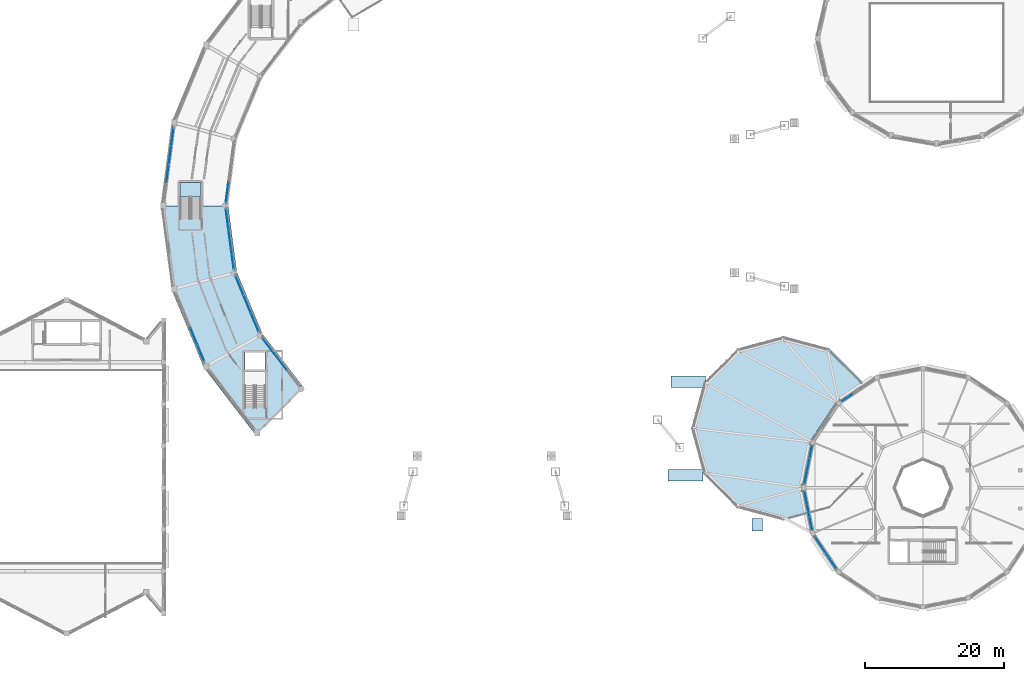
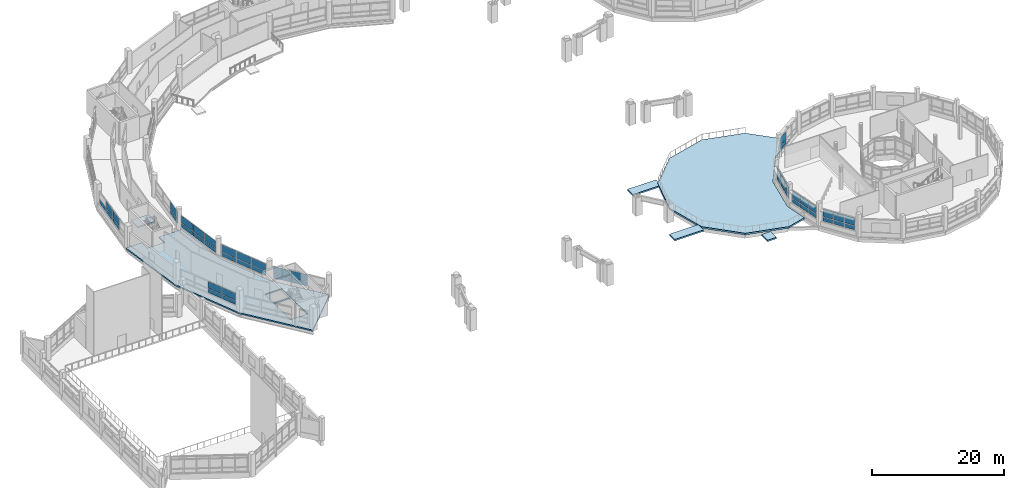
# One storey, part 102 of 128: 47 plates, 6 slabs, 11 elements without a shape of their own.
"""IFC4 building model written with IfcOpenShell, lengths in metres."""

from ifc_helpers import new_model, si_unit, direction, frame, origin, origin_2d, place, context, subcontext, project, spatial, polyline, rectangle, outline, extrude, material, layer, layer_set, type_object, element, aggregate, save


model = new_model("IFC4")

# Units and contexts
model_context = context("Model", 3, precision=1e-05, world=origin(), true_north=direction((0.0, 1.0)))
body_context = subcontext(model_context, "Body", "Model", "MODEL_VIEW")
ifc_project = project(units=[si_unit("LENGTHUNIT", "METRE"), si_unit("AREAUNIT", "SQUARE_METRE"), si_unit("VOLUMEUNIT", "CUBIC_METRE"), si_unit("PLANEANGLEUNIT", "RADIAN"), si_unit("MASSUNIT", "GRAM", prefix="KILO")], contexts=[model_context])

# Site, building, storey
site_placement = place(None, origin())
site = spatial("IfcSite", under=ifc_project, at=site_placement, CompositionType="ELEMENT")
building_placement = place(site_placement, origin())
building = spatial("IfcBuilding", under=site, at=building_placement, Name="Vespera Passage Community Centre", CompositionType="ELEMENT")
storey_placement = place(building_placement, frame((0.0, 0.0, 4.5)))
storey = spatial("IfcBuildingStorey", under=building, at=storey_placement, Name="L01", CompositionType="ELEMENT", Elevation=4.5)

# Curtain wall, plates
ifc_material_1 = material(Name="Anodized aluminium 6063-T6", Category="aluminium")
ifc_layer_1 = layer(ifc_material_1, 0.159912109375)
ifc_layer_set_1 = layer_set([ifc_layer_1], Name="Anodized aluminium 6063-T6")
curtain_wall_type_1 = type_object("IfcCurtainWallType", Name="CW-22E", PredefinedType="NOTDEFINED", material=ifc_layer_set_1)
curtain_wall_1_placement = place(storey_placement, origin())
curtain_wall_1 = element("IfcCurtainWall", 1, at=curtain_wall_1_placement, inside=storey, type_object=curtain_wall_type_1, Name="V4 L01 Inner Court Curtain Wall 12", PredefinedType="NOTDEFINED")
ifc_material_2 = material(Name="Low-E insulated vision glass", Category="glass")
ifc_layer_2 = layer(ifc_material_2, 0.02001953125)
ifc_layer_set_2 = layer_set([ifc_layer_2], Name="Low-E insulated vision glass")
plate_type_1 = type_object("IfcPlateType", Name="PL-CWP-20E", PredefinedType="CURTAIN_PANEL", material=ifc_layer_set_2)
plate_1_placement = place(storey_placement, frame((41.058837890625, 63.53466796875, 0.919921875), z_axis=(0.0, 0.0, 1.0), x_axis=(0.1305221941, -0.991445387728, 0.0)))
plate_1 = element("IfcPlate", 2, at=plate_1_placement, type_object=plate_type_1, Name="CW-22E panel 1.1", PredefinedType="CURTAIN_PANEL", context=body_context, shape_type="SweptSolid", body=[
    extrude(rectangle(XDim=2.779541015625, YDim=0.02001953125, at=origin_2d()), origin(), (0.0, 0.0, 1.0), 0.699951171875),
])
plate_2_placement = place(storey_placement, frame((41.058837890625, 63.53466796875, 1.719970703125), z_axis=(0.0, 0.0, 1.0), x_axis=(0.1305221941, -0.991445387728, 0.0)))
plate_2 = element("IfcPlate", 3, at=plate_2_placement, type_object=plate_type_1, Name="CW-22E panel 1.2", PredefinedType="CURTAIN_PANEL", context=body_context, shape_type="SweptSolid", body=[
    extrude(rectangle(XDim=2.779541015625, YDim=0.02001953125, at=origin_2d()), origin(), (0.0, 0.0, 1.0), 1.3095703125),
])
plate_3_placement = place(storey_placement, frame((41.433837890625, 60.68603515625, 0.919921875), z_axis=(0.0, 0.0, 1.0), x_axis=(0.1305221941, -0.991445387728, 0.0)))
plate_3 = element("IfcPlate", 4, at=plate_3_placement, type_object=plate_type_1, Name="CW-22E panel 2.1", PredefinedType="CURTAIN_PANEL", context=body_context, shape_type="SweptSolid", body=[
    extrude(rectangle(XDim=2.81689453125, YDim=0.02001953125, at=origin_2d()), origin(), (0.0, 0.0, 1.0), 0.699951171875),
])
plate_4_placement = place(storey_placement, frame((41.433837890625, 60.68603515625, 1.719970703125), z_axis=(0.0, 0.0, 1.0), x_axis=(0.1305221941, -0.991445387728, 0.0)))
plate_4 = element("IfcPlate", 5, at=plate_4_placement, type_object=plate_type_1, Name="CW-22E panel 2.2", PredefinedType="CURTAIN_PANEL", context=body_context, shape_type="SweptSolid", body=[
    extrude(rectangle(XDim=2.81689453125, YDim=0.02001953125, at=origin_2d()), origin(), (0.0, 0.0, 1.0), 1.3095703125),
])
plate_5_placement = place(storey_placement, frame((41.808837890625, 57.83740234375, 0.919921875), z_axis=(0.0, 0.0, 1.0), x_axis=(0.1305221941, -0.991445387728, 0.0)))
plate_5 = element("IfcPlate", 6, at=plate_5_placement, type_object=plate_type_1, Name="CW-22E panel 3.1", PredefinedType="CURTAIN_PANEL", context=body_context, shape_type="SweptSolid", body=[
    extrude(rectangle(XDim=2.779541015625, YDim=0.02001953125, at=origin_2d()), origin(), (0.0, 0.0, 1.0), 0.699951171875),
])
plate_6_placement = place(storey_placement, frame((41.808837890625, 57.83740234375, 1.719970703125), z_axis=(0.0, 0.0, 1.0), x_axis=(0.1305221941, -0.991445387728, 0.0)))
plate_6 = element("IfcPlate", 7, at=plate_6_placement, type_object=plate_type_1, Name="CW-22E panel 3.2", PredefinedType="CURTAIN_PANEL", context=body_context, shape_type="SweptSolid", body=[
    extrude(rectangle(XDim=2.779541015625, YDim=0.02001953125, at=origin_2d()), origin(), (0.0, 0.0, 1.0), 1.3095703125),
])
aggregate(curtain_wall_1, [plate_1, plate_2, plate_3, plate_4, plate_5, plate_6])

ifc_material_3 = material(Name="Anodized aluminium 6063-T6", Category="aluminium")
ifc_layer_3 = layer(ifc_material_3, 0.159912109375)
ifc_layer_set_3 = layer_set([ifc_layer_3], Name="Anodized aluminium 6063-T6")
curtain_wall_type_2 = type_object("IfcCurtainWallType", Name="CW-106E", PredefinedType="NOTDEFINED", material=ifc_layer_set_3)
curtain_wall_2_placement = place(storey_placement, origin())
curtain_wall_2 = element("IfcCurtainWall", 8, at=curtain_wall_2_placement, inside=storey, type_object=curtain_wall_type_2, Name="Dining Drum Ribbon Curtain Wall L01.6", PredefinedType="NOTDEFINED")
plate_7_placement = place(storey_placement, frame((130.157470703125, 37.926025390625, 0.89990234375), z_axis=(0.0, 0.0, 1.0), x_axis=(0.831473308708, 0.555564700918, 0.0)))
plate_7 = element("IfcPlate", 9, at=plate_7_placement, type_object=plate_type_1, Name="CW-106E panel 1.1", PredefinedType="CURTAIN_PANEL", context=body_context, shape_type="SweptSolid", body=[
    extrude(rectangle(XDim=1.752685546875, YDim=0.02001953125, at=origin_2d()), origin(), (0.0, 0.0, 1.0), 0.699951171875),
])
plate_8_placement = place(storey_placement, frame((130.157470703125, 37.926025390625, 1.699951171875), z_axis=(0.0, 0.0, 1.0), x_axis=(0.831473308708, 0.555564700918, 0.0)))
plate_8 = element("IfcPlate", 10, at=plate_8_placement, type_object=plate_type_1, Name="CW-106E panel 1.2", PredefinedType="CURTAIN_PANEL", context=body_context, shape_type="SweptSolid", body=[
    extrude(rectangle(XDim=1.752685546875, YDim=0.02001953125, at=origin_2d()), origin(), (0.0, 0.0, 1.0), 1.375),
])
aggregate(curtain_wall_2, [plate_7, plate_8])

ifc_material_4 = material(Name="Anodized aluminium 6063-T6", Category="aluminium")
ifc_layer_4 = layer(ifc_material_4, 0.159912109375)
ifc_layer_set_4 = layer_set([ifc_layer_4], Name="Anodized aluminium 6063-T6")
curtain_wall_type_3 = type_object("IfcCurtainWallType", Name="CW-105E", PredefinedType="NOTDEFINED", material=ifc_layer_set_4)
curtain_wall_3_placement = place(storey_placement, origin())
curtain_wall_3 = element("IfcCurtainWall", 11, at=curtain_wall_3_placement, inside=storey, type_object=curtain_wall_type_3, Name="Dining Drum Ribbon Curtain Wall L01.8", PredefinedType="NOTDEFINED")
plate_9_placement = place(storey_placement, frame((124.18603515625, 26.4375, 0.89990234375), z_axis=(0.0, 0.0, 1.0), x_axis=(0.195096778691, 0.980783996069, 0.0)))
plate_9 = element("IfcPlate", 12, at=plate_9_placement, type_object=plate_type_1, Name="CW-105E panel 1.1", PredefinedType="CURTAIN_PANEL", context=body_context, shape_type="SweptSolid", body=[
    extrude(rectangle(XDim=1.789306640625, YDim=0.02001953125, at=origin_2d()), origin(), (0.0, 0.0, 1.0), 0.699951171875),
])
plate_10_placement = place(storey_placement, frame((124.18603515625, 26.4375, 1.699951171875), z_axis=(0.0, 0.0, 1.0), x_axis=(0.195096778691, 0.980783996069, 0.0)))
plate_10 = element("IfcPlate", 13, at=plate_10_placement, type_object=plate_type_1, Name="CW-105E panel 1.2", PredefinedType="CURTAIN_PANEL", context=body_context, shape_type="SweptSolid", body=[
    extrude(rectangle(XDim=1.789306640625, YDim=0.02001953125, at=origin_2d()), origin(), (0.0, 0.0, 1.0), 1.375),
])
plate_11_placement = place(storey_placement, frame((124.55078125, 28.27197265625, 0.89990234375), z_axis=(0.0, 0.0, 1.0), x_axis=(0.195096778691, 0.980783996069, 0.0)))
plate_11 = element("IfcPlate", 14, at=plate_11_placement, type_object=plate_type_1, Name="CW-105E panel 2.1", PredefinedType="CURTAIN_PANEL", context=body_context, shape_type="SweptSolid", body=[
    extrude(rectangle(XDim=1.82177734375, YDim=0.02001953125, at=origin_2d()), origin(), (0.0, 0.0, 1.0), 0.699951171875),
])
plate_12_placement = place(storey_placement, frame((124.55078125, 28.27197265625, 1.699951171875), z_axis=(0.0, 0.0, 1.0), x_axis=(0.195096778691, 0.980783996069, 0.0)))
plate_12 = element("IfcPlate", 15, at=plate_12_placement, type_object=plate_type_1, Name="CW-105E panel 2.2", PredefinedType="CURTAIN_PANEL", context=body_context, shape_type="SweptSolid", body=[
    extrude(rectangle(XDim=1.82177734375, YDim=0.02001953125, at=origin_2d()), origin(), (0.0, 0.0, 1.0), 1.375),
])
plate_13_placement = place(storey_placement, frame((124.915771484375, 30.1064453125, 0.89990234375), z_axis=(0.0, 0.0, 1.0), x_axis=(0.195096778691, 0.980783996069, 0.0)))
plate_13 = element("IfcPlate", 16, at=plate_13_placement, type_object=plate_type_1, Name="CW-105E panel 3.1", PredefinedType="CURTAIN_PANEL", context=body_context, shape_type="SweptSolid", body=[
    extrude(rectangle(XDim=1.789306640625, YDim=0.02001953125, at=origin_2d()), origin(), (0.0, 0.0, 1.0), 0.699951171875),
])
plate_14_placement = place(storey_placement, frame((124.915771484375, 30.1064453125, 1.699951171875), z_axis=(0.0, 0.0, 1.0), x_axis=(0.195096778691, 0.980783996069, 0.0)))
plate_14 = element("IfcPlate", 17, at=plate_14_placement, type_object=plate_type_1, Name="CW-105E panel 3.2", PredefinedType="CURTAIN_PANEL", context=body_context, shape_type="SweptSolid", body=[
    extrude(rectangle(XDim=1.789306640625, YDim=0.02001953125, at=origin_2d()), origin(), (0.0, 0.0, 1.0), 1.375),
])
aggregate(curtain_wall_3, [plate_9, plate_10, plate_11, plate_12, plate_13, plate_14])

curtain_wall_4_placement = place(storey_placement, origin())
curtain_wall_4 = element("IfcCurtainWall", 18, at=curtain_wall_4_placement, inside=storey, type_object=curtain_wall_type_3, Name="Dining Drum Ribbon Curtain Wall L01.9", PredefinedType="NOTDEFINED")
plate_15_placement = place(storey_placement, frame((124.915771484375, 19.8935546875, 0.89990234375), z_axis=(0.0, 0.0, 1.0), x_axis=(-0.195096778691, 0.980783996069, 0.0)))
plate_15 = element("IfcPlate", 19, at=plate_15_placement, type_object=plate_type_1, Name="CW-105E panel 1.1", PredefinedType="CURTAIN_PANEL", context=body_context, shape_type="SweptSolid", body=[
    extrude(rectangle(XDim=1.789306640625, YDim=0.02001953125, at=origin_2d()), origin(), (0.0, 0.0, 1.0), 0.699951171875),
])
plate_16_placement = place(storey_placement, frame((124.915771484375, 19.8935546875, 1.699951171875), z_axis=(0.0, 0.0, 1.0), x_axis=(-0.195096778691, 0.980783996069, 0.0)))
plate_16 = element("IfcPlate", 20, at=plate_16_placement, type_object=plate_type_1, Name="CW-105E panel 1.2", PredefinedType="CURTAIN_PANEL", context=body_context, shape_type="SweptSolid", body=[
    extrude(rectangle(XDim=1.789306640625, YDim=0.02001953125, at=origin_2d()), origin(), (0.0, 0.0, 1.0), 1.375),
])
plate_17_placement = place(storey_placement, frame((124.55078125, 21.72802734375, 0.89990234375), z_axis=(0.0, 0.0, 1.0), x_axis=(-0.195096778691, 0.980783996069, 0.0)))
plate_17 = element("IfcPlate", 21, at=plate_17_placement, type_object=plate_type_1, Name="CW-105E panel 2.1", PredefinedType="CURTAIN_PANEL", context=body_context, shape_type="SweptSolid", body=[
    extrude(rectangle(XDim=1.82177734375, YDim=0.02001953125, at=origin_2d()), origin(), (0.0, 0.0, 1.0), 0.699951171875),
])
plate_18_placement = place(storey_placement, frame((124.55078125, 21.72802734375, 1.699951171875), z_axis=(0.0, 0.0, 1.0), x_axis=(-0.195096778691, 0.980783996069, 0.0)))
plate_18 = element("IfcPlate", 22, at=plate_18_placement, type_object=plate_type_1, Name="CW-105E panel 2.2", PredefinedType="CURTAIN_PANEL", context=body_context, shape_type="SweptSolid", body=[
    extrude(rectangle(XDim=1.82177734375, YDim=0.02001953125, at=origin_2d()), origin(), (0.0, 0.0, 1.0), 1.375),
])
plate_19_placement = place(storey_placement, frame((124.18603515625, 23.5625, 0.89990234375), z_axis=(0.0, 0.0, 1.0), x_axis=(-0.195096778691, 0.980783996069, 0.0)))
plate_19 = element("IfcPlate", 23, at=plate_19_placement, type_object=plate_type_1, Name="CW-105E panel 3.1", PredefinedType="CURTAIN_PANEL", context=body_context, shape_type="SweptSolid", body=[
    extrude(rectangle(XDim=1.789306640625, YDim=0.02001953125, at=origin_2d()), origin(), (0.0, 0.0, 1.0), 0.699951171875),
])
plate_20_placement = place(storey_placement, frame((124.18603515625, 23.5625, 1.699951171875), z_axis=(0.0, 0.0, 1.0), x_axis=(-0.195096778691, 0.980783996069, 0.0)))
plate_20 = element("IfcPlate", 24, at=plate_20_placement, type_object=plate_type_1, Name="CW-105E panel 3.2", PredefinedType="CURTAIN_PANEL", context=body_context, shape_type="SweptSolid", body=[
    extrude(rectangle(XDim=1.789306640625, YDim=0.02001953125, at=origin_2d()), origin(), (0.0, 0.0, 1.0), 1.375),
])
aggregate(curtain_wall_4, [plate_15, plate_16, plate_17, plate_18, plate_19, plate_20])

curtain_wall_5_placement = place(storey_placement, origin())
curtain_wall_5 = element("IfcCurtainWall", 25, at=curtain_wall_5_placement, inside=storey, type_object=curtain_wall_type_2, Name="Dining Drum Ribbon Curtain Wall L01.10", PredefinedType="NOTDEFINED")
plate_21_placement = place(storey_placement, frame((128.073974609375, 14.157470703125, 0.89990234375), z_axis=(0.0, 0.0, 1.0), x_axis=(-0.555564700918, 0.831473308708, 0.0)))
plate_21 = element("IfcPlate", 26, at=plate_21_placement, type_object=plate_type_1, Name="CW-106E panel 1.1", PredefinedType="CURTAIN_PANEL", context=body_context, shape_type="SweptSolid", body=[
    extrude(rectangle(XDim=1.752685546875, YDim=0.02001953125, at=origin_2d()), origin(), (0.0, 0.0, 1.0), 0.699951171875),
])
plate_22_placement = place(storey_placement, frame((128.073974609375, 14.157470703125, 1.699951171875), z_axis=(0.0, 0.0, 1.0), x_axis=(-0.555564700918, 0.831473308708, 0.0)))
plate_22 = element("IfcPlate", 27, at=plate_22_placement, type_object=plate_type_1, Name="CW-106E panel 1.2", PredefinedType="CURTAIN_PANEL", context=body_context, shape_type="SweptSolid", body=[
    extrude(rectangle(XDim=1.752685546875, YDim=0.02001953125, at=origin_2d()), origin(), (0.0, 0.0, 1.0), 1.375),
])
plate_23_placement = place(storey_placement, frame((127.05517578125, 15.682373046875, 0.89990234375), z_axis=(0.0, 0.0, 1.0), x_axis=(-0.555564700918, 0.831473308708, 0.0)))
plate_23 = element("IfcPlate", 28, at=plate_23_placement, type_object=plate_type_1, Name="CW-106E panel 2.1", PredefinedType="CURTAIN_PANEL", context=body_context, shape_type="SweptSolid", body=[
    extrude(rectangle(XDim=1.78515625, YDim=0.02001953125, at=origin_2d()), origin(), (0.0, 0.0, 1.0), 0.699951171875),
])
plate_24_placement = place(storey_placement, frame((127.05517578125, 15.682373046875, 1.699951171875), z_axis=(0.0, 0.0, 1.0), x_axis=(-0.555564700918, 0.831473308708, 0.0)))
plate_24 = element("IfcPlate", 29, at=plate_24_placement, type_object=plate_type_1, Name="CW-106E panel 2.2", PredefinedType="CURTAIN_PANEL", context=body_context, shape_type="SweptSolid", body=[
    extrude(rectangle(XDim=1.78515625, YDim=0.02001953125, at=origin_2d()), origin(), (0.0, 0.0, 1.0), 1.375),
])
plate_25_placement = place(storey_placement, frame((126.036376953125, 17.20703125, 0.89990234375), z_axis=(0.0, 0.0, 1.0), x_axis=(-0.555564700918, 0.831473308708, 0.0)))
plate_25 = element("IfcPlate", 30, at=plate_25_placement, type_object=plate_type_1, Name="CW-106E panel 3.1", PredefinedType="CURTAIN_PANEL", context=body_context, shape_type="SweptSolid", body=[
    extrude(rectangle(XDim=1.752685546875, YDim=0.02001953125, at=origin_2d()), origin(), (0.0, 0.0, 1.0), 0.699951171875),
])
plate_26_placement = place(storey_placement, frame((126.036376953125, 17.20703125, 1.699951171875), z_axis=(0.0, 0.0, 1.0), x_axis=(-0.555564700918, 0.831473308708, 0.0)))
plate_26 = element("IfcPlate", 31, at=plate_26_placement, type_object=plate_type_1, Name="CW-106E panel 3.2", PredefinedType="CURTAIN_PANEL", context=body_context, shape_type="SweptSolid", body=[
    extrude(rectangle(XDim=1.752685546875, YDim=0.02001953125, at=origin_2d()), origin(), (0.0, 0.0, 1.0), 1.375),
])
aggregate(curtain_wall_5, [plate_21, plate_22, plate_23, plate_24, plate_25, plate_26])

ifc_material_5 = material(Name="Anodized aluminium 6063-T6", Category="aluminium")
ifc_layer_5 = layer(ifc_material_5, 0.159912109375)
ifc_layer_set_5 = layer_set([ifc_layer_5], Name="Anodized aluminium 6063-T6")
curtain_wall_type_4 = type_object("IfcCurtainWallType", Name="CW-20E", PredefinedType="NOTDEFINED", material=ifc_layer_set_5)
curtain_wall_6_placement = place(storey_placement, origin())
curtain_wall_6 = element("IfcCurtainWall", 32, at=curtain_wall_6_placement, inside=storey, type_object=curtain_wall_type_4, Name="V4 L01 Outer Ribbon Curtain Wall 13", PredefinedType="NOTDEFINED")
ifc_material_6 = material(Name="Low-E insulated vision glass", Category="glass")
ifc_layer_6 = layer(ifc_material_6, 0.028076171875)
ifc_layer_set_6 = layer_set([ifc_layer_6], Name="Low-E insulated vision glass")
plate_type_2 = type_object("IfcPlateType", Name="PL-CWP-28E", PredefinedType="CURTAIN_PANEL", material=ifc_layer_set_6)
plate_27_placement = place(storey_placement, frame((37.2763671875, 44.381103515625, 0.919921875), z_axis=(0.0, 0.0, 1.0), x_axis=(-0.382679142535, 0.923881309405, 0.0)))
plate_27 = element("IfcPlate", 33, at=plate_27_placement, type_object=plate_type_2, Name="CW-20E panel 1.1", PredefinedType="CURTAIN_PANEL", context=body_context, shape_type="SweptSolid", body=[
    extrude(rectangle(XDim=2.51806640625, YDim=0.028076171875, at=origin_2d()), origin(), (0.0, 0.0, 1.0), 0.699951171875),
])
plate_28_placement = place(storey_placement, frame((37.2763671875, 44.381103515625, 1.719970703125), z_axis=(0.0, 0.0, 1.0), x_axis=(-0.382679142535, 0.923881309405, 0.0)))
plate_28 = element("IfcPlate", 34, at=plate_28_placement, type_object=plate_type_2, Name="CW-20E panel 1.2", PredefinedType="CURTAIN_PANEL", context=body_context, shape_type="SweptSolid", body=[
    extrude(rectangle(XDim=2.51806640625, YDim=0.028076171875, at=origin_2d()), origin(), (0.0, 0.0, 1.0), 1.2255859375),
])
plate_29_placement = place(storey_placement, frame((36.27685546875, 46.7939453125, 0.919921875), z_axis=(0.0, 0.0, 1.0), x_axis=(-0.382679142535, 0.923881309405, 0.0)))
plate_29 = element("IfcPlate", 35, at=plate_29_placement, type_object=plate_type_2, Name="CW-20E panel 2.1", PredefinedType="CURTAIN_PANEL", context=body_context, shape_type="SweptSolid", body=[
    extrude(rectangle(XDim=2.555419921875, YDim=0.028076171875, at=origin_2d()), origin(), (0.0, 0.0, 1.0), 0.699951171875),
])
plate_30_placement = place(storey_placement, frame((36.27685546875, 46.7939453125, 1.719970703125), z_axis=(0.0, 0.0, 1.0), x_axis=(-0.382679142535, 0.923881309405, 0.0)))
plate_30 = element("IfcPlate", 36, at=plate_30_placement, type_object=plate_type_2, Name="CW-20E panel 2.2", PredefinedType="CURTAIN_PANEL", context=body_context, shape_type="SweptSolid", body=[
    extrude(rectangle(XDim=2.555419921875, YDim=0.028076171875, at=origin_2d()), origin(), (0.0, 0.0, 1.0), 1.2255859375),
])
aggregate(curtain_wall_6, [plate_27, plate_28, plate_29, plate_30])

ifc_material_7 = material(Name="Anodized aluminium 6063-T6", Category="aluminium")
ifc_layer_7 = layer(ifc_material_7, 0.159912109375)
ifc_layer_set_7 = layer_set([ifc_layer_7], Name="Anodized aluminium 6063-T6")
curtain_wall_type_5 = type_object("IfcCurtainWallType", Name="CW-12E", PredefinedType="NOTDEFINED", material=ifc_layer_set_7)
curtain_wall_7_placement = place(storey_placement, origin())
curtain_wall_7 = element("IfcCurtainWall", 37, at=curtain_wall_7_placement, inside=storey, type_object=curtain_wall_type_5, Name="V4 L01 Inner Court Curtain Wall 13", PredefinedType="NOTDEFINED")
plate_31_placement = place(storey_placement, frame((42.831787109375, 54.02685546875, 0.8798828125), z_axis=(0.0, 0.0, 1.0), x_axis=(0.382690463482, -0.923876620096, 0.0)))
plate_31 = element("IfcPlate", 38, at=plate_31_placement, type_object=plate_type_2, Name="CW-12E panel 1.1", PredefinedType="CURTAIN_PANEL", context=body_context, shape_type="SweptSolid", body=[
    extrude(rectangle(XDim=2.7646484375, YDim=0.028076171875, at=origin_2d()), origin(), (0.0, 0.0, 1.0), 0.760009765625),
])
plate_32_placement = place(storey_placement, frame((42.831787109375, 54.02685546875, 1.7001953125), z_axis=(0.0, 0.0, 1.0), x_axis=(0.382690463482, -0.923876620096, 0.0)))
plate_32 = element("IfcPlate", 39, at=plate_32_placement, type_object=plate_type_2, Name="CW-12E panel 1.2", PredefinedType="CURTAIN_PANEL", context=body_context, shape_type="SweptSolid", body=[
    extrude(rectangle(XDim=2.7646484375, YDim=0.028076171875, at=origin_2d()), origin(), (0.0, 0.0, 1.0), 1.369384765625),
])
plate_33_placement = place(storey_placement, frame((43.92578125, 51.385986328125, 0.8798828125), z_axis=(0.0, 0.0, 1.0), x_axis=(0.382690463482, -0.923876620096, 0.0)))
plate_33 = element("IfcPlate", 40, at=plate_33_placement, type_object=plate_type_2, Name="CW-12E panel 2.1", PredefinedType="CURTAIN_PANEL", context=body_context, shape_type="SweptSolid", body=[
    extrude(rectangle(XDim=2.80224609375, YDim=0.028076171875, at=origin_2d()), origin(), (0.0, 0.0, 1.0), 0.760009765625),
])
plate_34_placement = place(storey_placement, frame((43.92578125, 51.385986328125, 1.7001953125), z_axis=(0.0, 0.0, 1.0), x_axis=(0.382690463482, -0.923876620096, 0.0)))
plate_34 = element("IfcPlate", 41, at=plate_34_placement, type_object=plate_type_2, Name="CW-12E panel 2.2", PredefinedType="CURTAIN_PANEL", context=body_context, shape_type="SweptSolid", body=[
    extrude(rectangle(XDim=2.80224609375, YDim=0.028076171875, at=origin_2d()), origin(), (0.0, 0.0, 1.0), 1.369384765625),
])
plate_35_placement = place(storey_placement, frame((45.019775390625, 48.7451171875, 0.8798828125), z_axis=(0.0, 0.0, 1.0), x_axis=(0.382690463482, -0.923876620096, 0.0)))
plate_35 = element("IfcPlate", 42, at=plate_35_placement, type_object=plate_type_2, Name="CW-12E panel 3.1", PredefinedType="CURTAIN_PANEL", context=body_context, shape_type="SweptSolid", body=[
    extrude(rectangle(XDim=2.7646484375, YDim=0.028076171875, at=origin_2d()), origin(), (0.0, 0.0, 1.0), 0.760009765625),
])
plate_36_placement = place(storey_placement, frame((45.019775390625, 48.7451171875, 1.7001953125), z_axis=(0.0, 0.0, 1.0), x_axis=(0.382690463482, -0.923876620096, 0.0)))
plate_36 = element("IfcPlate", 43, at=plate_36_placement, type_object=plate_type_2, Name="CW-12E panel 3.2", PredefinedType="CURTAIN_PANEL", context=body_context, shape_type="SweptSolid", body=[
    extrude(rectangle(XDim=2.7646484375, YDim=0.028076171875, at=origin_2d()), origin(), (0.0, 0.0, 1.0), 1.369384765625),
])
aggregate(curtain_wall_7, [plate_31, plate_32, plate_33, plate_34, plate_35, plate_36])

ifc_material_8 = material(Name="Anodized aluminium 6063-T6", Category="aluminium")
ifc_layer_8 = layer(ifc_material_8, 0.159912109375)
ifc_layer_set_8 = layer_set([ifc_layer_8], Name="Anodized aluminium 6063-T6")
curtain_wall_type_6 = type_object("IfcCurtainWallType", Name="CW-21E", PredefinedType="NOTDEFINED", material=ifc_layer_set_8)
curtain_wall_8_placement = place(storey_placement, origin())
curtain_wall_8 = element("IfcCurtainWall", 44, at=curtain_wall_8_placement, inside=storey, type_object=curtain_wall_type_6, Name="V4 L01 Outer Ribbon Curtain Wall 11", PredefinedType="NOTDEFINED")
ifc_material_9 = material(Name="Acoustic triple-glazed vision glass", Category="glass")
ifc_layer_9 = layer(ifc_material_9, 0.035888671875)
ifc_layer_set_9 = layer_set([ifc_layer_9], Name="Acoustic triple-glazed vision glass")
plate_type_3 = type_object("IfcPlateType", Name="PL-CWP-36E", PredefinedType="CURTAIN_PANEL", material=ifc_layer_set_9)
plate_37_placement = place(storey_placement, frame((32.512451171875, 70.152587890625, 0.919921875), z_axis=(0.0, 0.0, 1.0), x_axis=(0.130522869458, 0.991445298818, 0.0)))
plate_37 = element("IfcPlate", 45, at=plate_37_placement, type_object=plate_type_3, Name="CW-21E panel 2.1", PredefinedType="CURTAIN_PANEL", context=body_context, shape_type="SweptSolid", body=[
    extrude(rectangle(XDim=2.573974609375, YDim=0.035888671875, at=origin_2d()), origin(), (0.0, 0.0, 1.0), 0.699951171875),
])
plate_38_placement = place(storey_placement, frame((32.512451171875, 70.152587890625, 1.719970703125), z_axis=(0.0, 0.0, 1.0), x_axis=(0.130522869458, 0.991445298818, 0.0)))
plate_38 = element("IfcPlate", 46, at=plate_38_placement, type_object=plate_type_3, Name="CW-21E panel 2.2", PredefinedType="CURTAIN_PANEL", context=body_context, shape_type="SweptSolid", body=[
    extrude(rectangle(XDim=2.573974609375, YDim=0.035888671875, at=origin_2d()), origin(), (0.0, 0.0, 1.0), 1.2255859375),
])
plate_39_placement = place(storey_placement, frame((32.858154296875, 72.779052734375, 0.919921875), z_axis=(0.0, 0.0, 1.0), x_axis=(0.130522869458, 0.991445298818, 0.0)))
plate_39 = element("IfcPlate", 47, at=plate_39_placement, type_object=plate_type_3, Name="CW-21E panel 3.1", PredefinedType="CURTAIN_PANEL", context=body_context, shape_type="SweptSolid", body=[
    extrude(rectangle(XDim=2.573974609375, YDim=0.035888671875, at=origin_2d()), origin(), (0.0, 0.0, 1.0), 0.699951171875),
])
plate_40_placement = place(storey_placement, frame((32.858154296875, 72.779052734375, 1.719970703125), z_axis=(0.0, 0.0, 1.0), x_axis=(0.130522869458, 0.991445298818, 0.0)))
plate_40 = element("IfcPlate", 48, at=plate_40_placement, type_object=plate_type_3, Name="CW-21E panel 3.2", PredefinedType="CURTAIN_PANEL", context=body_context, shape_type="SweptSolid", body=[
    extrude(rectangle(XDim=2.573974609375, YDim=0.035888671875, at=origin_2d()), origin(), (0.0, 0.0, 1.0), 1.2255859375),
])
plate_41_placement = place(storey_placement, frame((33.20166015625, 75.38671875, 0.919921875), z_axis=(0.0, 0.0, 1.0), x_axis=(0.130522869458, 0.991445298818, 0.0)))
plate_41 = element("IfcPlate", 49, at=plate_41_placement, type_object=plate_type_3, Name="CW-21E panel 4.1", PredefinedType="CURTAIN_PANEL", context=body_context, shape_type="SweptSolid", body=[
    extrude(rectangle(XDim=2.536376953125, YDim=0.035888671875, at=origin_2d()), origin(), (0.0, 0.0, 1.0), 0.699951171875),
])
aggregate(curtain_wall_8, [plate_37, plate_38, plate_39, plate_40, plate_41])

ifc_material_10 = material(Name="Anodized aluminium 6063-T6", Category="aluminium")
ifc_layer_10 = layer(ifc_material_10, 0.159912109375)
ifc_layer_set_10 = layer_set([ifc_layer_10], Name="Anodized aluminium 6063-T6")
curtain_wall_type_7 = type_object("IfcCurtainWallType", Name="CW-14E", PredefinedType="NOTDEFINED", material=ifc_layer_set_10)
curtain_wall_9_placement = place(storey_placement, origin())
curtain_wall_9 = element("IfcCurtainWall", 50, at=curtain_wall_9_placement, inside=storey, type_object=curtain_wall_type_7, Name="V4 L01 Inner Court Curtain Wall 11", PredefinedType="NOTDEFINED")
plate_42_placement = place(storey_placement, frame((41.058349609375, 67.462890625, 0.8798828125), z_axis=(0.0, 0.0, 1.0), x_axis=(-0.1305221941, -0.991445387728, 0.0)))
plate_42 = element("IfcPlate", 51, at=plate_42_placement, type_object=plate_type_3, Name="CW-14E panel 3.1", PredefinedType="CURTAIN_PANEL", context=body_context, shape_type="SweptSolid", body=[
    extrude(rectangle(XDim=2.79443359375, YDim=0.035888671875, at=origin_2d()), origin(), (0.0, 0.0, 1.0), 0.760009765625),
])
plate_43_placement = place(storey_placement, frame((41.058349609375, 67.462890625, 1.7001953125), z_axis=(0.0, 0.0, 1.0), x_axis=(-0.1305221941, -0.991445387728, 0.0)))
plate_43 = element("IfcPlate", 52, at=plate_43_placement, type_object=plate_type_3, Name="CW-14E panel 3.2", PredefinedType="CURTAIN_PANEL", context=body_context, shape_type="SweptSolid", body=[
    extrude(rectangle(XDim=2.79443359375, YDim=0.035888671875, at=origin_2d()), origin(), (0.0, 0.0, 1.0), 1.369384765625),
])
aggregate(curtain_wall_9, [plate_42, plate_43])

ifc_material_11 = material(Name="Anodized aluminium 6063-T6", Category="aluminium")
ifc_layer_11 = layer(ifc_material_11, 0.159912109375)
ifc_layer_set_11 = layer_set([ifc_layer_11], Name="Anodized aluminium 6063-T6")
curtain_wall_type_8 = type_object("IfcCurtainWallType", Name="CW-17E", PredefinedType="NOTDEFINED", material=ifc_layer_set_11)
curtain_wall_10_placement = place(storey_placement, origin())
curtain_wall_10 = element("IfcCurtainWall", 53, at=curtain_wall_10_placement, inside=storey, type_object=curtain_wall_type_8, Name="V4 L01 Inner Court Curtain Wall 14", PredefinedType="NOTDEFINED")
plate_44_placement = place(storey_placement, frame((47.019775390625, 45.289306640625, 0.919921875), z_axis=(0.0, 0.0, 1.0), x_axis=(0.608755087843, -0.793358205999, 0.0)))
plate_44 = element("IfcPlate", 54, at=plate_44_placement, type_object=plate_type_3, Name="CW-17E panel 1.1", PredefinedType="CURTAIN_PANEL", context=body_context, shape_type="SweptSolid", body=[
    extrude(rectangle(XDim=2.744140625, YDim=0.035888671875, at=origin_2d()), origin(), (0.0, 0.0, 1.0), 0.699951171875),
])
plate_45_placement = place(storey_placement, frame((47.019775390625, 45.289306640625, 1.719970703125), z_axis=(0.0, 0.0, 1.0), x_axis=(0.608755087843, -0.793358205999, 0.0)))
plate_45 = element("IfcPlate", 55, at=plate_45_placement, type_object=plate_type_3, Name="CW-17E panel 1.2", PredefinedType="CURTAIN_PANEL", context=body_context, shape_type="SweptSolid", body=[
    extrude(rectangle(XDim=2.744140625, YDim=0.035888671875, at=origin_2d()), origin(), (0.0, 0.0, 1.0), 1.3095703125),
])
plate_46_placement = place(storey_placement, frame((48.73974609375, 43.0478515625, 0.919921875), z_axis=(0.0, 0.0, 1.0), x_axis=(0.608755087843, -0.793358205999, 0.0)))
plate_46 = element("IfcPlate", 56, at=plate_46_placement, type_object=plate_type_3, Name="CW-17E panel 2.1", PredefinedType="CURTAIN_PANEL", context=body_context, shape_type="SweptSolid", body=[
    extrude(rectangle(XDim=2.776611328125, YDim=0.035888671875, at=origin_2d()), origin(), (0.0, 0.0, 1.0), 0.699951171875),
])
plate_47_placement = place(storey_placement, frame((48.73974609375, 43.0478515625, 1.719970703125), z_axis=(0.0, 0.0, 1.0), x_axis=(0.608755087843, -0.793358205999, 0.0)))
plate_47 = element("IfcPlate", 57, at=plate_47_placement, type_object=plate_type_3, Name="CW-17E panel 2.2", PredefinedType="CURTAIN_PANEL", context=body_context, shape_type="SweptSolid", body=[
    extrude(rectangle(XDim=2.776611328125, YDim=0.035888671875, at=origin_2d()), origin(), (0.0, 0.0, 1.0), 1.3095703125),
])
aggregate(curtain_wall_10, [plate_44, plate_45, plate_46, plate_47])

# Slab
ifc_material_12 = material(Name="Concrete f'c 35 MPa", Category="concrete")
ifc_layer_12 = layer(ifc_material_12, 0.300048828125)
ifc_layer_set_12 = layer_set([ifc_layer_12], Name="Concrete f'c 35 MPa")
slab_type_1 = type_object("IfcSlabType", Name="SL-GARDEN-300E", PredefinedType="FLOOR", material=ifc_layer_set_12)
slab_1_placement = place(storey_placement, frame((0.0, 0.0, -0.300048828125)))
element("IfcSlab", 58, at=slab_1_placement, inside=storey, type_object=slab_type_1, Name="V3A L01 Cantilever-Shaded Cafe Roof Terrace Slab", PredefinedType="FLOOR", context=body_context, shape_type="SweptSolid", body=[
    extrude(outline(polyline([(121.0, 20.300048828125), (114.39990234375, 22.068603515625), (109.568603515625, 26.89990234375), (107.800048828125, 33.5), (109.568603515625, 40.10009765625), (114.39990234375, 44.931396484375), (121.0, 46.699951171875), (127.60009765625, 44.931396484375), (132.431396484375, 40.10009765625), (132.46484375, 39.9755859375), (128.60400390625, 37.39599609375), (124.8037109375, 31.708740234375), (123.469482421875, 25.0), (124.23193359375, 21.166015625), (121.0, 20.300048828125)])), origin(), (0.0, 0.0, 1.0), 0.300048828125),
])

# Stair, slab
ifc_material_13 = material(Name="Concrete f'c 35 MPa", Category="concrete")
stair_type = type_object("IfcStairType", Name="ST-T04", PredefinedType="HALF_TURN_STAIR", material=ifc_material_13)
stair_placement = place(storey_placement, origin())
stair = element("IfcStair", 59, at=stair_placement, inside=storey, type_object=stair_type, Name="L01 Core C2 Exit Stair ST04", PredefinedType="HALF_TURN_STAIR")
ifc_material_14 = material(Name="Concrete f'c 35 MPa", Category="concrete")
ifc_layer_13 = layer(ifc_material_14, 0.199951171875)
ifc_layer_set_13 = layer_set([ifc_layer_13], Name="Concrete f'c 35 MPa")
slab_type_2 = type_object("IfcSlabType", Name="SL-LAND-200I", PredefinedType="LANDING", material=ifc_layer_set_13)
slab_2_placement = place(storey_placement, frame((0.0, 0.0, 1.89990234375)))
slab_2 = element("IfcSlab", 60, at=slab_2_placement, type_object=slab_type_2, Name="ST04 landing 1", PredefinedType="LANDING", context=body_context, shape_type="SweptSolid", body=[
    extrude(outline(polyline([(37.300048828125, 66.764892578125), (37.300048828125, 68.824951171875), (34.300048828125, 68.824951171875), (34.300048828125, 66.764892578125), (37.300048828125, 66.764892578125)])), origin(), (0.0, 0.0, 1.0), 0.2001953125),
])
aggregate(stair, [slab_2])

# Slabs
ifc_material_15 = material(Name="Concrete f'c 35 MPa", Category="concrete")
ifc_layer_14 = layer(ifc_material_15, 0.260009765625)
ifc_layer_set_14 = layer_set([ifc_layer_14], Name="Concrete f'c 35 MPa")
slab_type_3 = type_object("IfcSlabType", Name="SL-RLAND-260E", PredefinedType="LANDING", material=ifc_layer_set_14)
slab_3_placement = place(storey_placement, frame((0.0, 0.0, -0.260009765625)))
element("IfcSlab", 61, at=slab_3_placement, inside=storey, type_object=slab_type_3, Name="ST-CRT-01 Arrival Belvedere Landing", PredefinedType="LANDING", context=body_context, shape_type="SweptSolid", body=[
    extrude(outline(polyline([(109.39990234375, 25.97509765625), (104.39990234375, 25.97509765625), (104.39990234375, 27.625), (109.353515625, 27.625), (109.39990234375, 27.45166015625), (109.39990234375, 25.97509765625)])), origin(), (0.0, 0.0, 1.0), 0.260009765625),
])
slab_4_placement = place(storey_placement, frame((0.0, 0.0, -0.260009765625)))
element("IfcSlab", 62, at=slab_4_placement, inside=storey, type_object=slab_type_3, Name="ST-CRT-02 Arrival Belvedere Landing", PredefinedType="LANDING", context=body_context, shape_type="SweptSolid", body=[
    extrude(outline(polyline([(104.800048828125, 39.375), (104.800048828125, 41.02490234375), (109.800048828125, 41.02490234375), (109.800048828125, 40.35986328125), (109.550537109375, 40.1103515625), (109.353515625, 39.375), (104.800048828125, 39.375)])), origin(), (0.0, 0.0, 1.0), 0.260009765625),
])
slab_5_placement = place(storey_placement, frame((0.0, 0.0, -0.260009765625)))
element("IfcSlab", 63, at=slab_5_placement, inside=storey, type_object=slab_type_3, Name="ST-CRT-05 Arrival Belvedere Landing", PredefinedType="LANDING", context=body_context, shape_type="SweptSolid", body=[
    extrude(outline(polyline([(117.97509765625, 18.800048828125), (117.97509765625, 20.60009765625), (116.425048828125, 20.60009765625), (116.425048828125, 18.800048828125), (117.97509765625, 18.800048828125)])), origin(), (0.0, 0.0, 1.0), 0.260009765625),
])
ifc_material_16 = material(Name="Concrete f'c 35 MPa", Category="concrete")
ifc_layer_15 = layer(ifc_material_16, 0.239990234375)
ifc_layer_set_15 = layer_set([ifc_layer_15], Name="Concrete f'c 35 MPa")
slab_type_4 = type_object("IfcSlabType", Name="SL-TYP-240", PredefinedType="FLOOR", material=ifc_layer_set_15)
slab_6_placement = place(storey_placement, frame((0.0, 0.0, -0.239990234375)))
element("IfcSlab", 64, at=slab_6_placement, inside=storey, type_object=slab_type_4, Name="V4 L01 Annular Sector 4 Slab", PredefinedType="FLOOR", context=body_context, shape_type="SweptSolid", body=[
    extrude(outline(polyline([(46.13037109375, 47.10009765625), (51.978515625, 39.478515625), (45.119384765625, 32.619384765625), (37.729736328125, 42.25), (33.08447265625, 53.46484375), (31.5, 65.5), (34.300048828125, 65.5), (34.300048828125, 63.85498046875), (37.300048828125, 63.85498046875), (37.300048828125, 65.5), (41.199951171875, 65.5), (42.453857421875, 55.9755859375), (46.13037109375, 47.10009765625)]), holes=[polyline([(43.56103515625, 41.719970703125), (43.56103515625, 36.75), (46.56103515625, 36.75), (46.56103515625, 41.719970703125), (43.56103515625, 41.719970703125)]), polyline([(46.510986328125, 44.4599609375), (43.611083984375, 44.4599609375), (43.611083984375, 41.9599609375), (46.510986328125, 41.9599609375), (46.510986328125, 44.4599609375)])]), origin(), (0.0, 0.0, 1.0), 0.239990234375),
])

save(model, "model.ifc")
